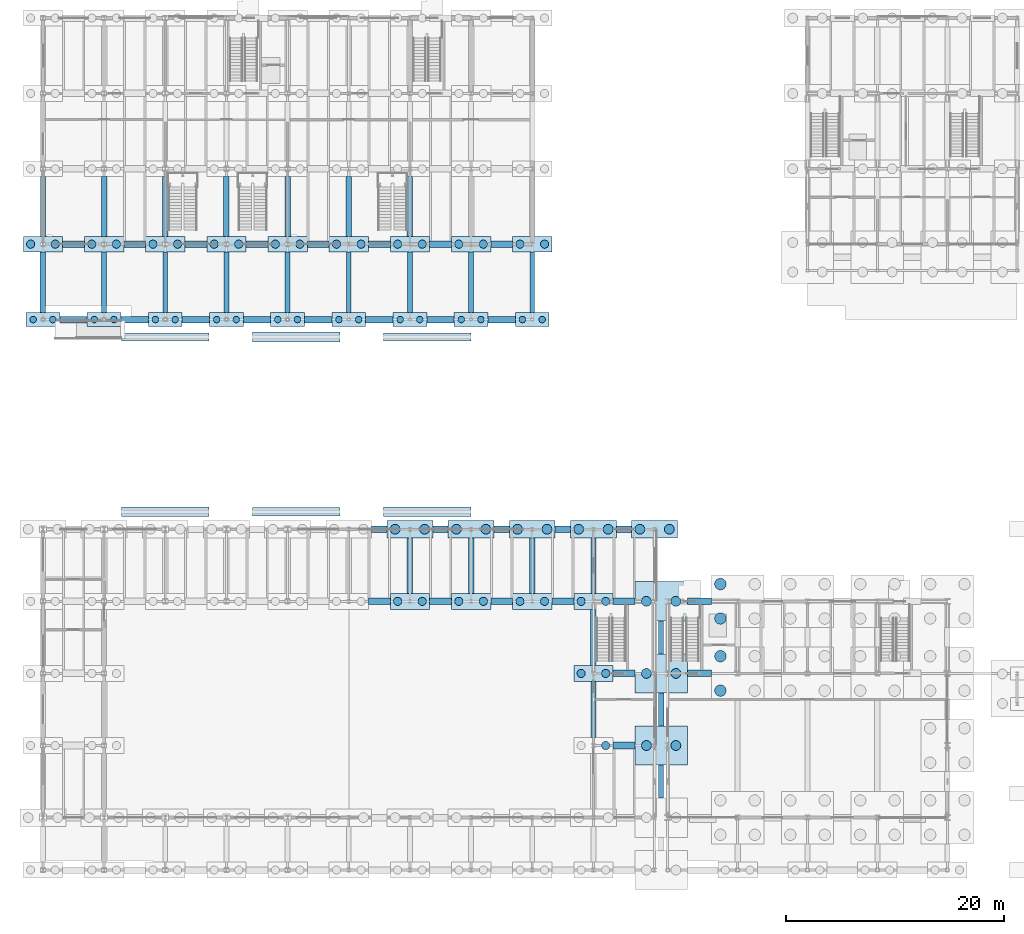
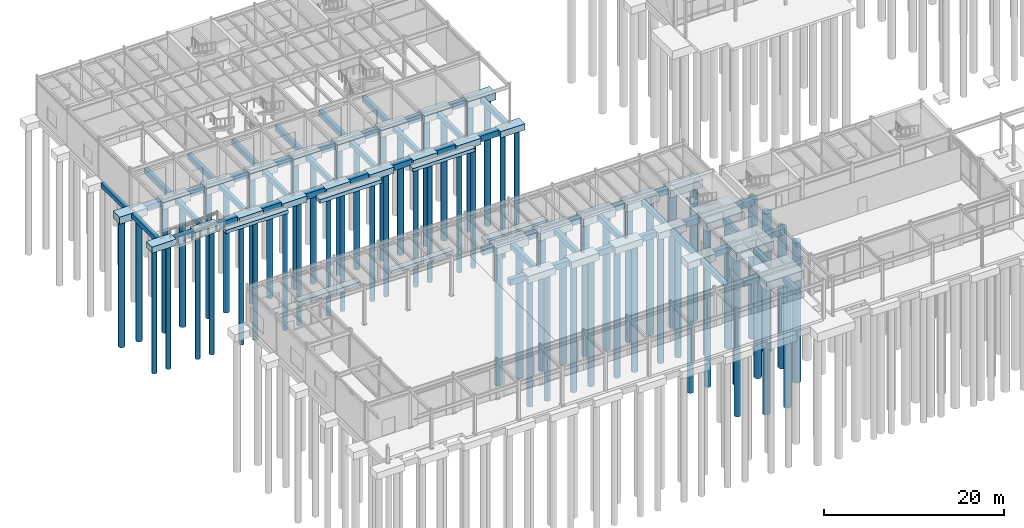
# One storey, part 2 of 82: 92 footings, 67 piles.
"""IFC4 building model written with IfcOpenShell, lengths in metres."""

from ifc_helpers import new_model, si_unit, direction, frame, origin, origin_2d, place, context, subcontext, project, spatial, rectangle, circle, extrude, material, material_profile, profile_set, type_object, element, save


model = new_model("IFC4")

# Units and contexts
model_context = context("Model", 3, precision=1e-05, world=origin(), true_north=direction((0.0, 1.0)))
body_context = subcontext(model_context, "Body", "Model", "MODEL_VIEW")
ifc_project = project(units=[si_unit("LENGTHUNIT", "METRE"), si_unit("AREAUNIT", "SQUARE_METRE"), si_unit("VOLUMEUNIT", "CUBIC_METRE"), si_unit("PLANEANGLEUNIT", "RADIAN"), si_unit("MASSUNIT", "GRAM", prefix="KILO")], contexts=[model_context])

# Site, building, storey
site_placement = place(None, origin())
site = spatial("IfcSite", under=ifc_project, at=site_placement, CompositionType="ELEMENT")
building_placement = place(site_placement, origin())
building = spatial("IfcBuilding", under=site, at=building_placement, Name="Trelmorton Wharf Fire Station", CompositionType="ELEMENT")
storey_placement = place(building_placement, origin())
storey = spatial("IfcBuildingStorey", under=building, at=storey_placement, Name="L00", CompositionType="ELEMENT", Elevation=0.0)

# Footings
ifc_material_1 = material(Name="Concrete 40 MPa", Category="concrete")
ifc_material_profile_1 = material_profile(ifc_material_1, rectangle(XDim=0.449951171875, YDim=0.64990234375, at=origin_2d()), Name="RC450x650")
ifc_profile_set_1 = profile_set([ifc_material_profile_1], Name="Concrete 40 MPa")
footing_type_1 = type_object("IfcFootingType", Name="GB_450x650", PredefinedType="FOOTING_BEAM", material=ifc_profile_set_1)
footing_1_placement = place(storey_placement, frame((0.800048828125, 61.02490234375, -0.675048828125), z_axis=(0.0, 1.0, 0.0), x_axis=(-1.0, 0.0, 0.0)))
element("IfcFooting", 1, at=footing_1_placement, inside=storey, type_object=footing_type_1, Name="FT-GB-205", PredefinedType="FOOTING_BEAM", context=body_context, shape_type="SweptSolid", body=[
    extrude(rectangle(XDim=0.449951171875, YDim=0.64990234375, at=origin_2d()), origin(), (0.0, 0.0, 1.0), 5.4501953125),
])
for number, where, z_axis, x_axis, name in (
    (2, (6.39990234375, 54.050048828125, -0.675048828125), (0.0, 1.0, 0.0), (-1.0, 0.0, 0.0), "FT-GB-213"),
    (3, (12.0, 54.050048828125, -0.675048828125), (0.0, 1.0, 0.0), (-1.0, 0.0, 0.0), "FT-GB-219"),
    (4, (17.60009765625, 54.050048828125, -0.675048828125), (0.0, 1.0, 0.0), (-1.0, 0.0, 0.0), "FT-GB-225"),
    (5, (23.199951171875, 54.050048828125, -0.675048828125), (0.0, 1.0, 0.0), (-1.0, 0.0, 0.0), "FT-GB-231"),
    (6, (28.800048828125, 54.050048828125, -0.675048828125), (0.0, 1.0, 0.0), (-1.0, 0.0, 0.0), "FT-GB-237"),
    (7, (34.39990234375, 54.050048828125, -0.675048828125), (0.0, 1.0, 0.0), (-1.0, 0.0, 0.0), "FT-GB-243"),
    (8, (40.0, 54.050048828125, -0.675048828125), (0.0, 1.0, 0.0), (-1.0, 0.0, 0.0), "FT-GB-249"),
    (9, (45.60009765625, 54.050048828125, -0.675048828125), (0.0, 1.0, 0.0), (-1.0, 0.0, 0.0), "FT-GB-255"),
):
    element("IfcFooting", number, at=place(storey_placement, frame(where, z_axis=z_axis, x_axis=x_axis)), inside=storey, type_object=footing_type_1, Name=name, PredefinedType="FOOTING_BEAM", context=body_context, shape_type="SweptSolid", body=[
        extrude(rectangle(XDim=0.449951171875, YDim=0.64990234375, at=origin_2d()), origin(), (0.0, 0.0, 1.0), 5.52490234375),
    ])
footing_2_placement = place(storey_placement, frame((51.199951171875, 15.125, -0.675048828125), z_axis=(0.0, 1.0, 0.0), x_axis=(-1.0, 0.0, 0.0)))
element("IfcFooting", 10, at=footing_2_placement, inside=storey, type_object=footing_type_1, Name="FT-GB-261", PredefinedType="FOOTING_BEAM", context=body_context, shape_type="SweptSolid", body=[
    extrude(rectangle(XDim=0.449951171875, YDim=0.64990234375, at=origin_2d()), origin(), (0.0, 0.0, 1.0), 5.14990234375),
])
footing_3_placement = place(storey_placement, frame((51.199951171875, 28.324951171875, -0.675048828125), z_axis=(0.0, 1.0, 0.0), x_axis=(-1.0, 0.0, 0.0)))
element("IfcFooting", 11, at=footing_3_placement, inside=storey, type_object=footing_type_1, Name="FT-GB-263", PredefinedType="FOOTING_BEAM", context=body_context, shape_type="SweptSolid", body=[
    extrude(rectangle(XDim=0.449951171875, YDim=0.64990234375, at=origin_2d()), origin(), (0.0, 0.0, 1.0), 5.074951171875),
])
for number, where, z_axis, x_axis, name in (
    (12, (57.39990234375, 9.60009765625, -0.675048828125), (0.0, 1.0, 0.0), (-1.0, 0.0, 0.0), "FT-GB-265"),
    (13, (57.39990234375, 22.800048828125, -0.675048828125), (0.0, 1.0, 0.0), (-1.0, 0.0, 0.0), "FT-GB-267"),
):
    element("IfcFooting", number, at=place(storey_placement, frame(where, z_axis=z_axis, x_axis=x_axis)), inside=storey, type_object=footing_type_1, Name=name, PredefinedType="FOOTING_BEAM", context=body_context, shape_type="SweptSolid", body=[
        extrude(rectangle(XDim=0.449951171875, YDim=0.64990234375, at=origin_2d()), origin(), (0.0, 0.0, 1.0), 3.0),
    ])
ifc_material_profile_2 = material_profile(ifc_material_1, rectangle(XDim=0.5, YDim=0.699951171875, at=origin_2d()), Name="RC500x700")
ifc_profile_set_2 = profile_set([ifc_material_profile_2], Name="Concrete 40 MPa")
footing_type_2 = type_object("IfcFootingType", Name="GB_500x700", PredefinedType="FOOTING_BEAM", material=ifc_profile_set_2)
footing_4_placement = place(storey_placement, frame((0.800048828125, 54.050048828125, -0.699951171875), z_axis=(0.0, 1.0, 0.0), x_axis=(-1.0, 0.0, 0.0)))
element("IfcFooting", 14, at=footing_4_placement, inside=storey, type_object=footing_type_2, Name="FT-GB-204", PredefinedType="FOOTING_BEAM", context=body_context, shape_type="SweptSolid", body=[
    extrude(rectangle(XDim=0.5, YDim=0.699951171875, at=origin_2d()), origin(), (0.0, 0.0, 1.0), 5.52490234375),
])
for number, where, z_axis, x_axis, name in (
    (15, (6.39990234375, 61.02490234375, -0.699951171875), (0.0, 1.0, 0.0), (-1.0, 0.0, 0.0), "FT-GB-214"),
    (16, (12.0, 61.02490234375, -0.699951171875), (0.0, 1.0, 0.0), (-1.0, 0.0, 0.0), "FT-GB-220"),
    (17, (17.60009765625, 61.02490234375, -0.699951171875), (0.0, 1.0, 0.0), (-1.0, 0.0, 0.0), "FT-GB-226"),
    (18, (23.199951171875, 61.02490234375, -0.699951171875), (0.0, 1.0, 0.0), (-1.0, 0.0, 0.0), "FT-GB-232"),
    (19, (28.800048828125, 61.02490234375, -0.699951171875), (0.0, 1.0, 0.0), (-1.0, 0.0, 0.0), "FT-GB-238"),
):
    element("IfcFooting", number, at=place(storey_placement, frame(where, z_axis=z_axis, x_axis=x_axis)), inside=storey, type_object=footing_type_2, Name=name, PredefinedType="FOOTING_BEAM", context=body_context, shape_type="SweptSolid", body=[
        extrude(rectangle(XDim=0.5, YDim=0.699951171875, at=origin_2d()), origin(), (0.0, 0.0, 1.0), 5.4501953125),
    ])
footing_5_placement = place(storey_placement, frame((34.39990234375, 28.324951171875, -0.699951171875), z_axis=(0.0, 1.0, 0.0), x_axis=(-1.0, 0.0, 0.0)))
element("IfcFooting", 20, at=footing_5_placement, inside=storey, type_object=footing_type_2, Name="FT-GB-242", PredefinedType="FOOTING_BEAM", context=body_context, shape_type="SweptSolid", body=[
    extrude(rectangle(XDim=0.5, YDim=0.699951171875, at=origin_2d()), origin(), (0.0, 0.0, 1.0), 5.074951171875),
])
footing_6_placement = place(storey_placement, frame((34.39990234375, 61.02490234375, -0.699951171875), z_axis=(0.0, 1.0, 0.0), x_axis=(-1.0, 0.0, 0.0)))
element("IfcFooting", 21, at=footing_6_placement, inside=storey, type_object=footing_type_2, Name="FT-GB-244", PredefinedType="FOOTING_BEAM", context=body_context, shape_type="SweptSolid", body=[
    extrude(rectangle(XDim=0.5, YDim=0.699951171875, at=origin_2d()), origin(), (0.0, 0.0, 1.0), 5.4501953125),
])
for number, where, z_axis, x_axis, name in (
    (22, (40.0, 28.324951171875, -0.699951171875), (0.0, 1.0, 0.0), (-1.0, 0.0, 0.0), "FT-GB-248"),
    (23, (45.60009765625, 28.324951171875, -0.699951171875), (0.0, 1.0, 0.0), (-1.0, 0.0, 0.0), "FT-GB-254"),
):
    element("IfcFooting", number, at=place(storey_placement, frame(where, z_axis=z_axis, x_axis=x_axis)), inside=storey, type_object=footing_type_2, Name=name, PredefinedType="FOOTING_BEAM", context=body_context, shape_type="SweptSolid", body=[
        extrude(rectangle(XDim=0.5, YDim=0.699951171875, at=origin_2d()), origin(), (0.0, 0.0, 1.0), 5.074951171875),
    ])
footing_7_placement = place(storey_placement, frame((51.199951171875, 21.72509765625, -0.699951171875), z_axis=(0.0, 1.0, 0.0), x_axis=(-1.0, 0.0, 0.0)))
element("IfcFooting", 24, at=footing_7_placement, inside=storey, type_object=footing_type_2, Name="FT-GB-262", PredefinedType="FOOTING_BEAM", context=body_context, shape_type="SweptSolid", body=[
    extrude(rectangle(XDim=0.5, YDim=0.699951171875, at=origin_2d()), origin(), (0.0, 0.0, 1.0), 5.14990234375),
])
footing_8_placement = place(storey_placement, frame((57.39990234375, 16.199951171875, -0.699951171875), z_axis=(0.0, 1.0, 0.0), x_axis=(-1.0, 0.0, 0.0)))
element("IfcFooting", 25, at=footing_8_placement, inside=storey, type_object=footing_type_2, Name="FT-GB-266", PredefinedType="FOOTING_BEAM", context=body_context, shape_type="SweptSolid", body=[
    extrude(rectangle(XDim=0.5, YDim=0.699951171875, at=origin_2d()), origin(), (0.0, 0.0, 1.0), 3.0),
])
ifc_material_profile_3 = material_profile(ifc_material_1, rectangle(XDim=0.60009765625, YDim=0.800048828125, at=origin_2d()), Name="RC600x800")
ifc_profile_set_3 = profile_set([ifc_material_profile_3], Name="Concrete 40 MPa")
footing_type_3 = type_object("IfcFootingType", Name="GB_600x800", PredefinedType="FOOTING_BEAM", material=ifc_profile_set_3)
for number, where, z_axis, x_axis, name in (
    (26, (53.0, 14.39990234375, -0.75), (1.0, 0.0, 0.0), (0.0, 1.0, 0.0), "FT-GB-048"),
    (27, (53.0, 21.0, -0.75), (1.0, 0.0, 0.0), (0.0, 1.0, 0.0), "FT-GB-059"),
):
    element("IfcFooting", number, at=place(storey_placement, frame(where, z_axis=z_axis, x_axis=x_axis)), inside=storey, type_object=footing_type_3, Name=name, PredefinedType="FOOTING_BEAM", context=body_context, shape_type="SweptSolid", body=[
        extrude(rectangle(XDim=0.60009765625, YDim=0.800048828125, at=origin_2d()), origin(), (0.0, 0.0, 1.0), 2.0),
    ])
footing_9_placement = place(storey_placement, frame((59.800048828125, 21.0, -0.75), z_axis=(1.0, 0.0, 0.0), x_axis=(0.0, 1.0, 0.0)))
element("IfcFooting", 28, at=footing_9_placement, inside=storey, type_object=footing_type_3, Name="FT-GB-060", PredefinedType="FOOTING_BEAM", context=body_context, shape_type="SweptSolid", body=[
    extrude(rectangle(XDim=0.60009765625, YDim=0.800048828125, at=origin_2d()), origin(), (0.0, 0.0, 1.0), 2.199951171875),
])
for number, where, z_axis, x_axis, name in (
    (29, (30.60009765625, 27.60009765625, -0.75), (1.0, 0.0, 0.0), (0.0, 1.0, 0.0), "FT-GB-077"),
    (30, (36.199951171875, 27.60009765625, -0.75), (1.0, 0.0, 0.0), (0.0, 1.0, 0.0), "FT-GB-078"),
    (31, (41.800048828125, 27.60009765625, -0.75), (1.0, 0.0, 0.0), (0.0, 1.0, 0.0), "FT-GB-079"),
    (32, (47.39990234375, 27.60009765625, -0.75), (1.0, 0.0, 0.0), (0.0, 1.0, 0.0), "FT-GB-080"),
    (33, (53.0, 27.60009765625, -0.75), (1.0, 0.0, 0.0), (0.0, 1.0, 0.0), "FT-GB-081"),
):
    element("IfcFooting", number, at=place(storey_placement, frame(where, z_axis=z_axis, x_axis=x_axis)), inside=storey, type_object=footing_type_3, Name=name, PredefinedType="FOOTING_BEAM", context=body_context, shape_type="SweptSolid", body=[
        extrude(rectangle(XDim=0.60009765625, YDim=0.800048828125, at=origin_2d()), origin(), (0.0, 0.0, 1.0), 2.0),
    ])
footing_10_placement = place(storey_placement, frame((59.800048828125, 27.60009765625, -0.75), z_axis=(1.0, 0.0, 0.0), x_axis=(0.0, 1.0, 0.0)))
element("IfcFooting", 34, at=footing_10_placement, inside=storey, type_object=footing_type_3, Name="FT-GB-082", PredefinedType="FOOTING_BEAM", context=body_context, shape_type="SweptSolid", body=[
    extrude(rectangle(XDim=0.60009765625, YDim=0.800048828125, at=origin_2d()), origin(), (0.0, 0.0, 1.0), 2.199951171875),
])
footing_11_placement = place(storey_placement, frame((30.89990234375, 34.199951171875, -0.75), z_axis=(1.0, 0.0, 0.0), x_axis=(0.0, 1.0, 0.0)))
element("IfcFooting", 35, at=footing_11_placement, inside=storey, type_object=footing_type_3, Name="FT-GB-100", PredefinedType="FOOTING_BEAM", context=body_context, shape_type="SweptSolid", body=[
    extrude(rectangle(XDim=0.60009765625, YDim=0.800048828125, at=origin_2d()), origin(), (0.0, 0.0, 1.0), 1.400146484375),
])
for number, where, z_axis, x_axis, name in (
    (36, (36.5, 34.199951171875, -0.75), (1.0, 0.0, 0.0), (0.0, 1.0, 0.0), "FT-GB-101"),
    (37, (42.10009765625, 34.199951171875, -0.75), (1.0, 0.0, 0.0), (0.0, 1.0, 0.0), "FT-GB-102"),
):
    element("IfcFooting", number, at=place(storey_placement, frame(where, z_axis=z_axis, x_axis=x_axis)), inside=storey, type_object=footing_type_3, Name=name, PredefinedType="FOOTING_BEAM", context=body_context, shape_type="SweptSolid", body=[
        extrude(rectangle(XDim=0.60009765625, YDim=0.800048828125, at=origin_2d()), origin(), (0.0, 0.0, 1.0), 1.39990234375),
    ])
footing_12_placement = place(storey_placement, frame((47.699951171875, 34.199951171875, -0.75), z_axis=(1.0, 0.0, 0.0), x_axis=(0.0, 1.0, 0.0)))
element("IfcFooting", 38, at=footing_12_placement, inside=storey, type_object=footing_type_3, Name="FT-GB-103", PredefinedType="FOOTING_BEAM", context=body_context, shape_type="SweptSolid", body=[
    extrude(rectangle(XDim=0.60009765625, YDim=0.800048828125, at=origin_2d()), origin(), (0.0, 0.0, 1.0), 1.400146484375),
])
footing_13_placement = place(storey_placement, frame((53.300048828125, 34.199951171875, -0.75), z_axis=(1.0, 0.0, 0.0), x_axis=(0.0, 1.0, 0.0)))
element("IfcFooting", 39, at=footing_13_placement, inside=storey, type_object=footing_type_3, Name="FT-GB-104", PredefinedType="FOOTING_BEAM", context=body_context, shape_type="SweptSolid", body=[
    extrude(rectangle(XDim=0.60009765625, YDim=0.800048828125, at=origin_2d()), origin(), (0.0, 0.0, 1.0), 1.39990234375),
])
for number, where, z_axis, x_axis, name in (
    (40, (2.35009765625, 53.39990234375, -0.75), (1.0, 0.0, 0.0), (0.0, 1.0, 0.0), "FT-GB-107"),
    (41, (7.949951171875, 53.39990234375, -0.75), (1.0, 0.0, 0.0), (0.0, 1.0, 0.0), "FT-GB-108"),
    (42, (13.550048828125, 53.39990234375, -0.75), (1.0, 0.0, 0.0), (0.0, 1.0, 0.0), "FT-GB-109"),
    (43, (19.14990234375, 53.39990234375, -0.75), (1.0, 0.0, 0.0), (0.0, 1.0, 0.0), "FT-GB-110"),
    (44, (24.75, 53.39990234375, -0.75), (1.0, 0.0, 0.0), (0.0, 1.0, 0.0), "FT-GB-111"),
    (45, (30.35009765625, 53.39990234375, -0.75), (1.0, 0.0, 0.0), (0.0, 1.0, 0.0), "FT-GB-112"),
    (46, (35.949951171875, 53.39990234375, -0.75), (1.0, 0.0, 0.0), (0.0, 1.0, 0.0), "FT-GB-113"),
    (47, (41.550048828125, 53.39990234375, -0.75), (1.0, 0.0, 0.0), (0.0, 1.0, 0.0), "FT-GB-114"),
):
    element("IfcFooting", number, at=place(storey_placement, frame(where, z_axis=z_axis, x_axis=x_axis)), inside=storey, type_object=footing_type_3, Name=name, PredefinedType="FOOTING_BEAM", context=body_context, shape_type="SweptSolid", body=[
        extrude(rectangle(XDim=0.60009765625, YDim=0.800048828125, at=origin_2d()), origin(), (0.0, 0.0, 1.0), 2.5),
    ])
for number, where, z_axis, x_axis, name in (
    (48, (2.60009765625, 60.300048828125, -0.75), (1.0, 0.0, 0.0), (0.0, 1.0, 0.0), "FT-GB-119"),
    (49, (8.199951171875, 60.300048828125, -0.75), (1.0, 0.0, 0.0), (0.0, 1.0, 0.0), "FT-GB-120"),
    (50, (13.800048828125, 60.300048828125, -0.75), (1.0, 0.0, 0.0), (0.0, 1.0, 0.0), "FT-GB-121"),
    (51, (19.39990234375, 60.300048828125, -0.75), (1.0, 0.0, 0.0), (0.0, 1.0, 0.0), "FT-GB-122"),
    (52, (25.0, 60.300048828125, -0.75), (1.0, 0.0, 0.0), (0.0, 1.0, 0.0), "FT-GB-123"),
    (53, (30.60009765625, 60.300048828125, -0.75), (1.0, 0.0, 0.0), (0.0, 1.0, 0.0), "FT-GB-124"),
    (54, (36.199951171875, 60.300048828125, -0.75), (1.0, 0.0, 0.0), (0.0, 1.0, 0.0), "FT-GB-125"),
    (55, (41.800048828125, 60.300048828125, -0.75), (1.0, 0.0, 0.0), (0.0, 1.0, 0.0), "FT-GB-126"),
):
    element("IfcFooting", number, at=place(storey_placement, frame(where, z_axis=z_axis, x_axis=x_axis)), inside=storey, type_object=footing_type_3, Name=name, PredefinedType="FOOTING_BEAM", context=body_context, shape_type="SweptSolid", body=[
        extrude(rectangle(XDim=0.60009765625, YDim=0.800048828125, at=origin_2d()), origin(), (0.0, 0.0, 1.0), 2.0),
    ])
footing_type_4 = type_object("IfcFootingType", Name="PC_2P_600_W", PredefinedType="PILE_CAP", material=ifc_material_1)
for number, where, z_axis, x_axis, name in (
    (56, (0.800048828125, 53.39990234375, -1.199951171875), (0.0, 0.0, 1.0), (1.0, 0.0, 0.0), "FT-CAP-007"),
    (57, (6.39990234375, 53.39990234375, -1.199951171875), (0.0, 0.0, 1.0), (1.0, 0.0, 0.0), "FT-CAP-018"),
    (58, (12.0, 53.39990234375, -1.199951171875), (0.0, 0.0, 1.0), (1.0, 0.0, 0.0), "FT-CAP-027"),
    (59, (17.60009765625, 53.39990234375, -1.199951171875), (0.0, 0.0, 1.0), (1.0, 0.0, 0.0), "FT-CAP-036"),
    (60, (23.199951171875, 53.39990234375, -1.199951171875), (0.0, 0.0, 1.0), (1.0, 0.0, 0.0), "FT-CAP-045"),
    (61, (28.800048828125, 53.39990234375, -1.199951171875), (0.0, 0.0, 1.0), (1.0, 0.0, 0.0), "FT-CAP-054"),
    (62, (34.39990234375, 53.39990234375, -1.199951171875), (0.0, 0.0, 1.0), (1.0, 0.0, 0.0), "FT-CAP-063"),
    (63, (40.0, 53.39990234375, -1.199951171875), (0.0, 0.0, 1.0), (1.0, 0.0, 0.0), "FT-CAP-072"),
    (64, (45.60009765625, 53.39990234375, -1.199951171875), (0.0, 0.0, 1.0), (1.0, 0.0, 0.0), "FT-CAP-081"),
):
    element("IfcFooting", number, at=place(storey_placement, frame(where, z_axis=z_axis, x_axis=x_axis)), inside=storey, type_object=footing_type_4, Name=name, PredefinedType="PILE_CAP", context=body_context, shape_type="SweptSolid", body=[
        extrude(rectangle(XDim=3.10009765625, YDim=1.300048828125, at=origin_2d()), origin(), (0.0, 0.0, 1.0), 0.85009765625),
    ])
footing_type_5 = type_object("IfcFootingType", Name="PC_2P_750_W", PredefinedType="PILE_CAP", material=ifc_material_1)
for number, where, z_axis, x_axis, name in (
    (65, (0.800048828125, 60.300048828125, -1.2998046875), (0.0, 0.0, 1.0), (1.0, 0.0, 0.0), "FT-CAP-008"),
    (66, (6.39990234375, 60.300048828125, -1.2998046875), (0.0, 0.0, 1.0), (1.0, 0.0, 0.0), "FT-CAP-019"),
    (67, (12.0, 60.300048828125, -1.2998046875), (0.0, 0.0, 1.0), (1.0, 0.0, 0.0), "FT-CAP-028"),
    (68, (17.60009765625, 60.300048828125, -1.2998046875), (0.0, 0.0, 1.0), (1.0, 0.0, 0.0), "FT-CAP-037"),
    (69, (23.199951171875, 60.300048828125, -1.2998046875), (0.0, 0.0, 1.0), (1.0, 0.0, 0.0), "FT-CAP-046"),
    (70, (28.800048828125, 60.300048828125, -1.2998046875), (0.0, 0.0, 1.0), (1.0, 0.0, 0.0), "FT-CAP-055"),
    (71, (34.39990234375, 27.60009765625, -1.2998046875), (0.0, 0.0, 1.0), (1.0, 0.0, 0.0), "FT-CAP-061"),
    (72, (34.39990234375, 60.300048828125, -1.2998046875), (0.0, 0.0, 1.0), (1.0, 0.0, 0.0), "FT-CAP-064"),
    (73, (40.0, 27.60009765625, -1.2998046875), (0.0, 0.0, 1.0), (1.0, 0.0, 0.0), "FT-CAP-070"),
    (74, (40.0, 60.300048828125, -1.2998046875), (0.0, 0.0, 1.0), (1.0, 0.0, 0.0), "FT-CAP-073"),
    (75, (45.60009765625, 27.60009765625, -1.2998046875), (0.0, 0.0, 1.0), (1.0, 0.0, 0.0), "FT-CAP-079"),
    (76, (45.60009765625, 60.300048828125, -1.2998046875), (0.0, 0.0, 1.0), (1.0, 0.0, 0.0), "FT-CAP-082"),
    (77, (51.199951171875, 21.0, -1.2998046875), (0.0, 0.0, 1.0), (1.0, 0.0, 0.0), "FT-CAP-089"),
    (78, (51.199951171875, 27.60009765625, -1.2998046875), (0.0, 0.0, 1.0), (1.0, 0.0, 0.0), "FT-CAP-090"),
):
    element("IfcFooting", number, at=place(storey_placement, frame(where, z_axis=z_axis, x_axis=x_axis)), inside=storey, type_object=footing_type_5, Name=name, PredefinedType="PILE_CAP", context=body_context, shape_type="SweptSolid", body=[
        extrude(rectangle(XDim=3.60009765625, YDim=1.449951171875, at=origin_2d()), origin(), (0.0, 0.0, 1.0), 0.949951171875),
    ])
footing_type_6 = type_object("IfcFootingType", Name="PC_2P_900_W", PredefinedType="PILE_CAP", material=ifc_material_1)
for number, where, z_axis, x_axis, name in (
    (79, (34.39990234375, 34.199951171875, -1.35009765625), (0.0, 0.0, 1.0), (1.0, 0.0, 0.0), "FT-CAP-062"),
    (80, (40.0, 34.199951171875, -1.35009765625), (0.0, 0.0, 1.0), (1.0, 0.0, 0.0), "FT-CAP-071"),
    (81, (45.60009765625, 34.199951171875, -1.35009765625), (0.0, 0.0, 1.0), (1.0, 0.0, 0.0), "FT-CAP-080"),
    (82, (51.199951171875, 34.199951171875, -1.35009765625), (0.0, 0.0, 1.0), (1.0, 0.0, 0.0), "FT-CAP-091"),
    (83, (56.800048828125, 34.199951171875, -1.35009765625), (0.0, 0.0, 1.0), (1.0, 0.0, 0.0), "FT-CAP-097"),
):
    element("IfcFooting", number, at=place(storey_placement, frame(where, z_axis=z_axis, x_axis=x_axis)), inside=storey, type_object=footing_type_6, Name=name, PredefinedType="PILE_CAP", context=body_context, shape_type="SweptSolid", body=[
        extrude(rectangle(XDim=4.199951171875, YDim=1.60009765625, at=origin_2d()), origin(), (0.0, 0.0, 1.0), 1.0),
    ])
footing_type_7 = type_object("IfcFootingType", Name="PC_SJ_480x360", PredefinedType="PILE_CAP", material=ifc_material_1)
for number, where, z_axis, x_axis, name in (
    (84, (57.39990234375, 14.39990234375, -1.5), (0.0, 0.0, 1.0), (1.0, 0.0, 0.0), "FT-CAP-094"),
    (85, (57.39990234375, 21.0, -1.5), (0.0, 0.0, 1.0), (1.0, 0.0, 0.0), "FT-CAP-095"),
    (86, (57.39990234375, 27.60009765625, -1.5), (0.0, 0.0, 1.0), (1.0, 0.0, 0.0), "FT-CAP-096"),
):
    element("IfcFooting", number, at=place(storey_placement, frame(where, z_axis=z_axis, x_axis=x_axis)), inside=storey, type_object=footing_type_7, Name=name, PredefinedType="PILE_CAP", context=body_context, shape_type="SweptSolid", body=[
        extrude(rectangle(XDim=4.800048828125, YDim=3.60009765625, at=origin_2d()), origin(), (0.0, 0.0, 1.0), 1.14990234375),
    ])

# Piles
ifc_material_2 = material(Name="Concrete 45 MPa", Category="concrete")
ifc_material_profile_4 = material_profile(ifc_material_2, circle(Radius=0.52490234375, at=origin_2d()), Name="PILE-D1050")
ifc_profile_set_4 = profile_set([ifc_material_profile_4], Name="Concrete 45 MPa")
pile_type_1 = type_object("IfcPileType", Name="PILE_D1050", PredefinedType="BORED", material=ifc_profile_set_4)
for number, where, z_axis, x_axis, name in (
    (87, (62.824951171875, 19.425048828125, -1.5), (0.0, 0.0, -1.0), (1.0, 0.0, 0.0), "PL-0201"),
    (88, (62.824951171875, 22.574951171875, -1.5), (0.0, 0.0, -1.0), (1.0, 0.0, 0.0), "PL-0203"),
    (89, (62.824951171875, 26.02490234375, -1.5), (0.0, 0.0, -1.0), (1.0, 0.0, 0.0), "PL-0205"),
    (90, (62.824951171875, 29.175048828125, -1.5), (0.0, 0.0, -1.0), (1.0, 0.0, 0.0), "PL-0207"),
):
    element("IfcPile", number, at=place(storey_placement, frame(where, z_axis=z_axis, x_axis=x_axis)), inside=storey, type_object=pile_type_1, Name=name, PredefinedType="BORED", context=body_context, shape_type="SweptSolid", body=[
        extrude(circle(Radius=0.52490234375, at=origin_2d()), origin(), (0.0, 0.0, 1.0), 19.0),
    ])
ifc_material_profile_5 = material_profile(ifc_material_2, circle(Radius=0.300048828125, at=origin_2d()), Name="PILE-D600")
ifc_profile_set_5 = profile_set([ifc_material_profile_5], Name="Concrete 45 MPa")
pile_type_2 = type_object("IfcPileType", Name="PILE_D600", PredefinedType="BORED", material=ifc_profile_set_5)
for number, where, z_axis, x_axis, name in (
    (91, (-0.10009765625, 53.39990234375, -1.10009765625), (0.0, 0.0, -1.0), (1.0, 0.0, 0.0), "PL-0013"),
    (92, (1.699951171875, 53.39990234375, -1.10009765625), (0.0, 0.0, -1.0), (1.0, 0.0, 0.0), "PL-0014"),
    (93, (5.5, 53.39990234375, -1.10009765625), (0.0, 0.0, -1.0), (1.0, 0.0, 0.0), "PL-0035"),
    (94, (7.300048828125, 53.39990234375, -1.10009765625), (0.0, 0.0, -1.0), (1.0, 0.0, 0.0), "PL-0036"),
    (95, (11.10009765625, 53.39990234375, -1.10009765625), (0.0, 0.0, -1.0), (1.0, 0.0, 0.0), "PL-0053"),
    (96, (12.89990234375, 53.39990234375, -1.10009765625), (0.0, 0.0, -1.0), (1.0, 0.0, 0.0), "PL-0054"),
    (97, (16.699951171875, 53.39990234375, -1.10009765625), (0.0, 0.0, -1.0), (1.0, 0.0, 0.0), "PL-0071"),
    (98, (18.5, 53.39990234375, -1.10009765625), (0.0, 0.0, -1.0), (1.0, 0.0, 0.0), "PL-0072"),
    (99, (22.300048828125, 53.39990234375, -1.10009765625), (0.0, 0.0, -1.0), (1.0, 0.0, 0.0), "PL-0089"),
    (100, (24.10009765625, 53.39990234375, -1.10009765625), (0.0, 0.0, -1.0), (1.0, 0.0, 0.0), "PL-0090"),
    (101, (27.89990234375, 53.39990234375, -1.10009765625), (0.0, 0.0, -1.0), (1.0, 0.0, 0.0), "PL-0107"),
    (102, (29.699951171875, 53.39990234375, -1.10009765625), (0.0, 0.0, -1.0), (1.0, 0.0, 0.0), "PL-0108"),
    (103, (33.5, 53.39990234375, -1.10009765625), (0.0, 0.0, -1.0), (1.0, 0.0, 0.0), "PL-0125"),
    (104, (35.300048828125, 53.39990234375, -1.10009765625), (0.0, 0.0, -1.0), (1.0, 0.0, 0.0), "PL-0126"),
    (105, (39.10009765625, 53.39990234375, -1.10009765625), (0.0, 0.0, -1.0), (1.0, 0.0, 0.0), "PL-0143"),
    (106, (40.89990234375, 53.39990234375, -1.10009765625), (0.0, 0.0, -1.0), (1.0, 0.0, 0.0), "PL-0144"),
    (107, (44.699951171875, 53.39990234375, -1.10009765625), (0.0, 0.0, -1.0), (1.0, 0.0, 0.0), "PL-0161"),
    (108, (46.5, 53.39990234375, -1.10009765625), (0.0, 0.0, -1.0), (1.0, 0.0, 0.0), "PL-0162"),
):
    element("IfcPile", number, at=place(storey_placement, frame(where, z_axis=z_axis, x_axis=x_axis)), inside=storey, type_object=pile_type_2, Name=name, PredefinedType="BORED", context=body_context, shape_type="SweptSolid", body=[
        extrude(circle(Radius=0.300048828125, at=origin_2d()), origin(), (0.0, 0.0, 1.0), 16.89990234375),
    ])
ifc_material_profile_6 = material_profile(ifc_material_2, circle(Radius=0.375, at=origin_2d()), Name="PILE-D750")
ifc_profile_set_6 = profile_set([ifc_material_profile_6], Name="Concrete 45 MPa")
pile_type_3 = type_object("IfcPileType", Name="PILE_D750", PredefinedType="BORED", material=ifc_profile_set_6)
for number, where, z_axis, x_axis, name in (
    (109, (-0.324951171875, 60.300048828125, -1.199951171875), (0.0, 0.0, -1.0), (1.0, 0.0, 0.0), "PL-0015"),
    (110, (1.925048828125, 60.300048828125, -1.199951171875), (0.0, 0.0, -1.0), (1.0, 0.0, 0.0), "PL-0016"),
    (111, (5.27490234375, 60.300048828125, -1.199951171875), (0.0, 0.0, -1.0), (1.0, 0.0, 0.0), "PL-0037"),
    (112, (7.52490234375, 60.300048828125, -1.199951171875), (0.0, 0.0, -1.0), (1.0, 0.0, 0.0), "PL-0038"),
    (113, (10.875, 60.300048828125, -1.199951171875), (0.0, 0.0, -1.0), (1.0, 0.0, 0.0), "PL-0055"),
    (114, (13.125, 60.300048828125, -1.199951171875), (0.0, 0.0, -1.0), (1.0, 0.0, 0.0), "PL-0056"),
    (115, (16.47509765625, 60.300048828125, -1.199951171875), (0.0, 0.0, -1.0), (1.0, 0.0, 0.0), "PL-0073"),
    (116, (18.72509765625, 60.300048828125, -1.199951171875), (0.0, 0.0, -1.0), (1.0, 0.0, 0.0), "PL-0074"),
    (117, (22.074951171875, 60.300048828125, -1.199951171875), (0.0, 0.0, -1.0), (1.0, 0.0, 0.0), "PL-0091"),
    (118, (24.324951171875, 60.300048828125, -1.199951171875), (0.0, 0.0, -1.0), (1.0, 0.0, 0.0), "PL-0092"),
    (119, (27.675048828125, 60.300048828125, -1.199951171875), (0.0, 0.0, -1.0), (1.0, 0.0, 0.0), "PL-0109"),
    (120, (29.925048828125, 60.300048828125, -1.199951171875), (0.0, 0.0, -1.0), (1.0, 0.0, 0.0), "PL-0110"),
    (121, (33.27490234375, 27.60009765625, -1.199951171875), (0.0, 0.0, -1.0), (1.0, 0.0, 0.0), "PL-0121"),
    (122, (35.52490234375, 27.60009765625, -1.199951171875), (0.0, 0.0, -1.0), (1.0, 0.0, 0.0), "PL-0122"),
    (123, (33.27490234375, 60.300048828125, -1.199951171875), (0.0, 0.0, -1.0), (1.0, 0.0, 0.0), "PL-0127"),
    (124, (35.52490234375, 60.300048828125, -1.199951171875), (0.0, 0.0, -1.0), (1.0, 0.0, 0.0), "PL-0128"),
    (125, (38.875, 27.60009765625, -1.199951171875), (0.0, 0.0, -1.0), (1.0, 0.0, 0.0), "PL-0139"),
    (126, (41.125, 27.60009765625, -1.199951171875), (0.0, 0.0, -1.0), (1.0, 0.0, 0.0), "PL-0140"),
    (127, (38.875, 60.300048828125, -1.199951171875), (0.0, 0.0, -1.0), (1.0, 0.0, 0.0), "PL-0145"),
    (128, (41.125, 60.300048828125, -1.199951171875), (0.0, 0.0, -1.0), (1.0, 0.0, 0.0), "PL-0146"),
    (129, (44.47509765625, 27.60009765625, -1.199951171875), (0.0, 0.0, -1.0), (1.0, 0.0, 0.0), "PL-0157"),
    (130, (46.72509765625, 27.60009765625, -1.199951171875), (0.0, 0.0, -1.0), (1.0, 0.0, 0.0), "PL-0158"),
    (131, (44.47509765625, 60.300048828125, -1.199951171875), (0.0, 0.0, -1.0), (1.0, 0.0, 0.0), "PL-0163"),
    (132, (46.72509765625, 60.300048828125, -1.199951171875), (0.0, 0.0, -1.0), (1.0, 0.0, 0.0), "PL-0164"),
    (133, (52.324951171875, 14.39990234375, -1.199951171875), (0.0, 0.0, -1.0), (1.0, 0.0, 0.0), "PL-0176"),
    (134, (50.074951171875, 21.0, -1.199951171875), (0.0, 0.0, -1.0), (1.0, 0.0, 0.0), "PL-0177"),
    (135, (52.324951171875, 21.0, -1.199951171875), (0.0, 0.0, -1.0), (1.0, 0.0, 0.0), "PL-0178"),
    (136, (50.074951171875, 27.60009765625, -1.199951171875), (0.0, 0.0, -1.0), (1.0, 0.0, 0.0), "PL-0179"),
    (137, (52.324951171875, 27.60009765625, -1.199951171875), (0.0, 0.0, -1.0), (1.0, 0.0, 0.0), "PL-0180"),
):
    element("IfcPile", number, at=place(storey_placement, frame(where, z_axis=z_axis, x_axis=x_axis)), inside=storey, type_object=pile_type_3, Name=name, PredefinedType="BORED", context=body_context, shape_type="SweptSolid", body=[
        extrude(circle(Radius=0.375, at=origin_2d()), origin(), (0.0, 0.0, 1.0), 17.300048828125),
    ])
ifc_material_profile_7 = material_profile(ifc_material_2, circle(Radius=0.449951171875, at=origin_2d()), Name="PILE-D900")
ifc_profile_set_7 = profile_set([ifc_material_profile_7], Name="Concrete 45 MPa")
pile_type_4 = type_object("IfcPileType", Name="PILE_D900", PredefinedType="BORED", material=ifc_profile_set_7)
for number, where, z_axis, x_axis, name in (
    (138, (33.050048828125, 34.199951171875, -1.25), (0.0, 0.0, -1.0), (1.0, 0.0, 0.0), "PL-0123"),
    (139, (35.75, 34.199951171875, -1.25), (0.0, 0.0, -1.0), (1.0, 0.0, 0.0), "PL-0124"),
    (140, (38.64990234375, 34.199951171875, -1.25), (0.0, 0.0, -1.0), (1.0, 0.0, 0.0), "PL-0141"),
    (141, (41.35009765625, 34.199951171875, -1.25), (0.0, 0.0, -1.0), (1.0, 0.0, 0.0), "PL-0142"),
    (142, (44.25, 34.199951171875, -1.25), (0.0, 0.0, -1.0), (1.0, 0.0, 0.0), "PL-0159"),
    (143, (46.949951171875, 34.199951171875, -1.25), (0.0, 0.0, -1.0), (1.0, 0.0, 0.0), "PL-0160"),
    (144, (49.85009765625, 34.199951171875, -1.25), (0.0, 0.0, -1.0), (1.0, 0.0, 0.0), "PL-0181"),
    (145, (52.550048828125, 34.199951171875, -1.25), (0.0, 0.0, -1.0), (1.0, 0.0, 0.0), "PL-0182"),
):
    element("IfcPile", number, at=place(storey_placement, frame(where, z_axis=z_axis, x_axis=x_axis)), inside=storey, type_object=pile_type_4, Name=name, PredefinedType="BORED", context=body_context, shape_type="SweptSolid", body=[
        extrude(circle(Radius=0.449951171875, at=origin_2d()), origin(), (0.0, 0.0, 1.0), 18.25),
    ])
for number, where, z_axis, x_axis, name in (
    (146, (56.050048828125, 14.39990234375, -1.39990234375), (0.0, 0.0, -1.0), (1.0, 0.0, 0.0), "PL-0187"),
    (147, (58.75, 14.39990234375, -1.39990234375), (0.0, 0.0, -1.0), (1.0, 0.0, 0.0), "PL-0188"),
    (148, (56.050048828125, 21.0, -1.39990234375), (0.0, 0.0, -1.0), (1.0, 0.0, 0.0), "PL-0189"),
    (149, (58.75, 21.0, -1.39990234375), (0.0, 0.0, -1.0), (1.0, 0.0, 0.0), "PL-0190"),
    (150, (56.050048828125, 27.60009765625, -1.39990234375), (0.0, 0.0, -1.0), (1.0, 0.0, 0.0), "PL-0191"),
    (151, (58.75, 27.60009765625, -1.39990234375), (0.0, 0.0, -1.0), (1.0, 0.0, 0.0), "PL-0192"),
):
    element("IfcPile", number, at=place(storey_placement, frame(where, z_axis=z_axis, x_axis=x_axis)), inside=storey, type_object=pile_type_4, Name=name, PredefinedType="BORED", context=body_context, shape_type="SweptSolid", body=[
        extrude(circle(Radius=0.449951171875, at=origin_2d()), origin(), (0.0, 0.0, 1.0), 18.10009765625),
    ])
for number, where, z_axis, x_axis, name in (
    (152, (55.449951171875, 34.199951171875, -1.25), (0.0, 0.0, -1.0), (1.0, 0.0, 0.0), "PL-0193"),
    (153, (58.14990234375, 34.199951171875, -1.25), (0.0, 0.0, -1.0), (1.0, 0.0, 0.0), "PL-0194"),
):
    element("IfcPile", number, at=place(storey_placement, frame(where, z_axis=z_axis, x_axis=x_axis)), inside=storey, type_object=pile_type_4, Name=name, PredefinedType="BORED", context=body_context, shape_type="SweptSolid", body=[
        extrude(circle(Radius=0.449951171875, at=origin_2d()), origin(), (0.0, 0.0, 1.0), 18.25),
    ])

# Footings
ifc_material_profile_8 = material_profile(ifc_material_1, rectangle(XDim=0.75, YDim=0.449951171875, at=origin_2d()), Name="RC750x450")
ifc_profile_set_8 = profile_set([ifc_material_profile_8], Name="Concrete 40 MPa")
footing_type_8 = type_object("IfcFootingType", Name="SF_750x450", PredefinedType="STRIP_FOOTING", material=ifc_profile_set_8)
for number, where, z_axis, x_axis, name in (
    (154, (20.0, 35.800048828125, -0.574951171875), (1.0, 0.0, 0.0), (0.0, 1.0, 0.0), "FT-SF-02"),
    (155, (8.0, 51.800048828125, -0.574951171875), (1.0, 0.0, 0.0), (0.0, 1.0, 0.0), "FT-SF-04"),
    (156, (32.0, 51.800048828125, -0.574951171875), (1.0, 0.0, 0.0), (0.0, 1.0, 0.0), "FT-SF-06"),
):
    element("IfcFooting", number, at=place(storey_placement, frame(where, z_axis=z_axis, x_axis=x_axis)), inside=storey, type_object=footing_type_8, Name=name, PredefinedType="STRIP_FOOTING", context=body_context, shape_type="SweptSolid", body=[
        extrude(rectangle(XDim=0.75, YDim=0.449951171875, at=origin_2d()), origin(), (0.0, 0.0, 1.0), 8.0),
    ])
ifc_material_profile_9 = material_profile(ifc_material_1, rectangle(XDim=0.89990234375, YDim=0.5, at=origin_2d()), Name="RC900x500")
ifc_profile_set_9 = profile_set([ifc_material_profile_9], Name="Concrete 40 MPa")
footing_type_9 = type_object("IfcFootingType", Name="SF_900x500", PredefinedType="STRIP_FOOTING", material=ifc_profile_set_9)
for number, where, z_axis, x_axis, name in (
    (157, (8.0, 35.800048828125, -0.60009765625), (1.0, 0.0, 0.0), (0.0, 1.0, 0.0), "FT-SF-01"),
    (158, (32.0, 35.800048828125, -0.60009765625), (1.0, 0.0, 0.0), (0.0, 1.0, 0.0), "FT-SF-03"),
    (159, (20.0, 51.800048828125, -0.60009765625), (1.0, 0.0, 0.0), (0.0, 1.0, 0.0), "FT-SF-05"),
):
    element("IfcFooting", number, at=place(storey_placement, frame(where, z_axis=z_axis, x_axis=x_axis)), inside=storey, type_object=footing_type_9, Name=name, PredefinedType="STRIP_FOOTING", context=body_context, shape_type="SweptSolid", body=[
        extrude(rectangle(XDim=0.89990234375, YDim=0.5, at=origin_2d()), origin(), (0.0, 0.0, 1.0), 8.0),
    ])

save(model, "model.ifc")
